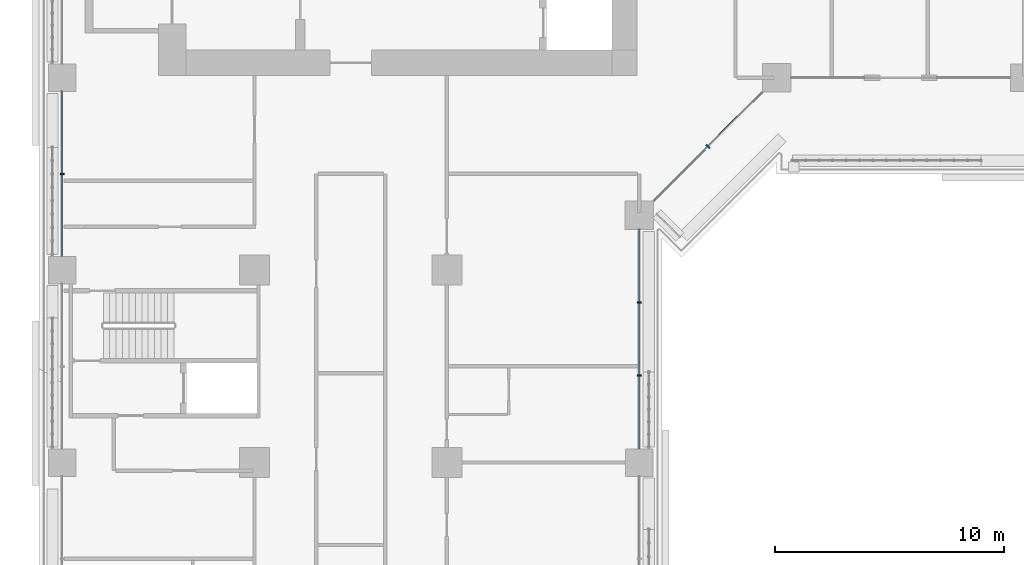
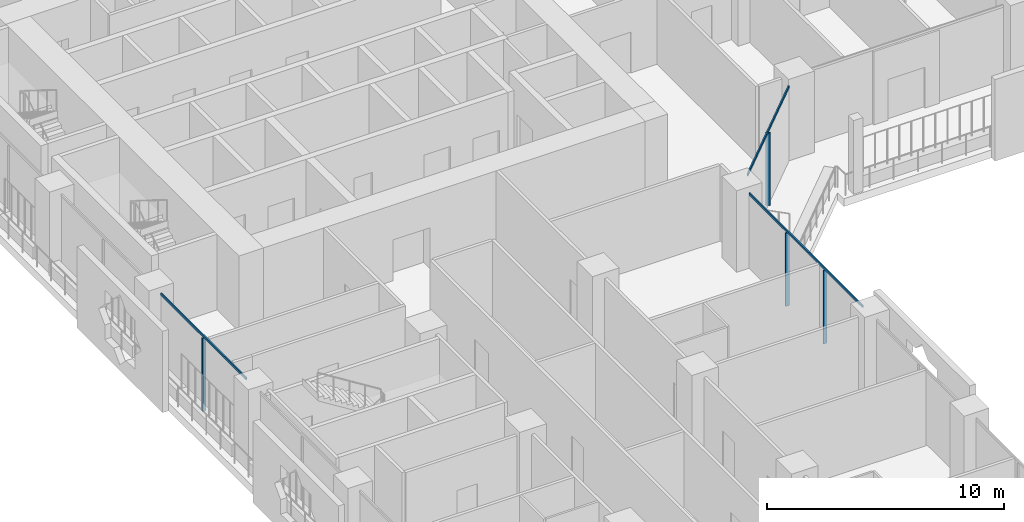
# One storey, part 4 of 28: 7 members, 3 elements without a shape of their own.
"""IFC4 building model written with IfcOpenShell, lengths in metres."""

import ifcopenshell
import ifcopenshell.guid

model = None  # the IFC model being written
_history = None  # IfcOwnerHistory: only IFC2X3 demands one
_inside = {}  # id of a spatial element -> (the spatial element, [elements in it])
_under = {}  # id of a project, library or spatial element -> (it, [spatial elements below it])
_declared = {}  # id of a project -> (the project, [libraries it declares])
_typed = {}  # id of a type object -> (the type object, [elements of that type])
_made_of = {}  # id of a material, layer set ... -> (it, [elements and type objects made of it])


def new_model(schema):
    """Start an empty IFC model of exactly this schema.

    Asked for "IFC4X3", IfcOpenShell would pick the latest addendum, in which some entities
    have other attributes; the version numbers below select the first issue.
    IFC2X3 requires an IfcOwnerHistory on every rooted entity: one is made here for all.
    """
    global model, _history
    if schema == "IFC4X3":
        model = ifcopenshell.file(schema_version=(4, 3, 0, 0))
    else:
        model = ifcopenshell.file(schema=schema)
    _inside.clear()
    _under.clear()
    _declared.clear()
    _typed.clear()
    _made_of.clear()
    _history = None
    if model.schema == "IFC2X3":
        org = make("IfcOrganization", Name="unknown")
        user = make(
            "IfcPersonAndOrganization",
            ThePerson=make("IfcPerson", FamilyName="unknown"),
            TheOrganization=org,
        )
        app = make(
            "IfcApplication",
            ApplicationDeveloper=org,
            Version="unknown",
            ApplicationFullName="unknown",
            ApplicationIdentifier="unknown",
        )
        _history = make(
            "IfcOwnerHistory",
            OwningUser=user,
            OwningApplication=app,
            ChangeAction="ADDED",
            CreationDate=0,
        )
    return model


def make(cls, **values):
    """One entity of the class cls with the attributes given. An attribute that is None is left unset."""
    return model.create_entity(
        cls, **{name: value for name, value in values.items() if value is not None}
    )


def rooted(cls, **values):
    """An entity with a GlobalId (a new one), such as an element, a storey or a relation."""
    return make(cls, GlobalId=ifcopenshell.guid.new(), OwnerHistory=_history, **values)


def si_unit(unit_type, name, prefix=None):
    """IfcSIUnit, for example si_unit("LENGTHUNIT", "METRE", prefix="MILLI")."""
    return make("IfcSIUnit", UnitType=unit_type, Prefix=prefix, Name=name)


def assignment(units):
    """IfcUnitAssignment: the units of a project."""
    return None if units is None else make("IfcUnitAssignment", Units=units)


def point(xyz):
    """IfcCartesianPoint."""
    return None if xyz is None else make("IfcCartesianPoint", Coordinates=xyz)


def direction(xyz):
    """IfcDirection."""
    return None if xyz is None else make("IfcDirection", DirectionRatios=xyz)


def frame(location, z_axis=None, x_axis=None):
    """IfcAxis2Placement3D, a coordinate frame: its origin and axes. An axis left out is left unset."""
    return make(
        "IfcAxis2Placement3D",
        Location=point(location),
        Axis=direction(z_axis),
        RefDirection=direction(x_axis),
    )


def frame_2d(location, x_axis=None):
    """IfcAxis2Placement2D, a coordinate frame in the plane: its origin and x axis."""
    return make(
        "IfcAxis2Placement2D", Location=point(location), RefDirection=direction(x_axis)
    )


def origin():
    """The frame at (0, 0, 0) with its axes left unset."""
    return frame((0.0, 0.0, 0.0))


def origin_2d():
    """The frame at (0, 0) in the plane with its x axis left unset."""
    return frame_2d((0.0, 0.0))


def place(relative_to, where):
    """IfcLocalPlacement: puts the frame where relative to a parent placement (None: the world)."""
    return make(
        "IfcLocalPlacement", PlacementRelTo=relative_to, RelativePlacement=where
    )


def context(
    kind, dimensions, precision=None, world=None, true_north=None, identifier=None
):
    """IfcGeometricRepresentationContext, for example the 3D "Model" context."""
    return make(
        "IfcGeometricRepresentationContext",
        ContextIdentifier=identifier,
        ContextType=kind,
        CoordinateSpaceDimension=dimensions,
        Precision=precision,
        WorldCoordinateSystem=world,
        TrueNorth=true_north,
    )


def subcontext(parent, identifier, kind, view, scale=None):
    """IfcGeometricRepresentationSubContext, for example "Body" below "Model"."""
    return make(
        "IfcGeometricRepresentationSubContext",
        ContextIdentifier=identifier,
        ContextType=kind,
        ParentContext=parent,
        TargetScale=scale,
        TargetView=view,
    )


def project(units=None, contexts=None):
    """IfcProject with its units and contexts."""
    return rooted(
        "IfcProject",
        Name="project",
        RepresentationContexts=contexts,
        UnitsInContext=assignment(units),
    )


def spatial(cls, under=None, at=None, **own):
    """A site, building, storey or space (cls), placed at a placement, below another one or the project."""
    s = rooted(cls, ObjectPlacement=at, **own)
    if under is not None:
        _under.setdefault(under.id(), (under, []))[1].append(s)
    return s


def profile(cls, at=None, kind="AREA", **sizes):
    """A parametric profile (cls). Its sizes go by their IFC names, for example OverallWidth=200.0."""
    return make(cls, ProfileType=kind, Position=at, **sizes)


def rectangle(**sizes):
    """IfcRectangleProfileDef."""
    return profile("IfcRectangleProfileDef", **sizes)


def extrude(swept, where, along, depth):
    """IfcExtrudedAreaSolid: the profile swept, set in the frame where, extruded along a direction by depth."""
    return make(
        "IfcExtrudedAreaSolid",
        SweptArea=swept,
        Position=where,
        ExtrudedDirection=direction(along),
        Depth=depth,
    )


def shape(context_of_items, identifier, shape_type, items):
    """IfcShapeRepresentation: the items that make up one representation, for example the "Body"."""
    return make(
        "IfcShapeRepresentation",
        ContextOfItems=context_of_items,
        RepresentationIdentifier=identifier,
        RepresentationType=shape_type,
        Items=items,
    )


def material(Name=None, Category=None):
    """IfcMaterial."""
    return make("IfcMaterial", Name=Name, Category=Category)


def layer(
    of_material, thickness, ventilated=None, Name=None, Category=None, Priority=None
):
    """IfcMaterialLayer: one layer of a wall or slab, of a material (None: an air gap)."""
    return make(
        "IfcMaterialLayer",
        Material=of_material,
        LayerThickness=thickness,
        IsVentilated=ventilated,
        Name=Name,
        Category=Category,
        Priority=Priority,
    )


def layer_set(layers, Name=None):
    """IfcMaterialLayerSet."""
    return make("IfcMaterialLayerSet", MaterialLayers=layers, LayerSetName=Name)


def material_profile(
    of_material, cross_section, Name=None, Category=None, Priority=None
):
    """IfcMaterialProfile: a cross section and its material."""
    return make(
        "IfcMaterialProfile",
        Name=Name,
        Material=of_material,
        Profile=cross_section,
        Priority=Priority,
        Category=Category,
    )


def profile_set(profiles, Name=None, composite=None):
    """IfcMaterialProfileSet."""
    return make(
        "IfcMaterialProfileSet",
        Name=Name,
        MaterialProfiles=profiles,
        CompositeProfile=composite,
    )


def made_of(thing, what):
    """Note that an element or type object is made of a material, layer set ...; save() writes the relation."""
    if what is not None:
        _made_of.setdefault(what.id(), (what, []))[1].append(thing)
    return thing


def type_object(cls, material=None, **own):
    """A type object (cls), such as IfcWallType, which elements share."""
    return made_of(rooted(cls, **own), material)


def element(
    cls,
    number,
    at=None,
    inside=None,
    cuts=None,
    type_object=None,
    material=None,
    context=None,
    identifier="Body",
    shape_type=None,
    held_by="IfcProductDefinitionShape",
    body=None,
    shapes=None,
    **own,
):
    """One element of the class cls, such as IfcWall. Its Tag is "e" and its number.

    at: its placement. inside: the storey or other place that contains it. cuts: it is an
    opening in that element (IfcRelVoidsElement). A single representation is given by context,
    identifier, shape_type and body (its items); several are given by shapes. held_by: the class
    of the entity that holds the representations. save() writes the other relations.
    """
    e = rooted(cls, Tag="e%d" % number, ObjectPlacement=at, **own)
    if body is not None:
        shapes = [shape(context, identifier, shape_type, body)]
    if shapes is not None:
        e.Representation = make(held_by, Representations=shapes)
    if inside is not None:
        _inside.setdefault(inside.id(), (inside, []))[1].append(e)
    if cuts is not None:
        rooted(
            "IfcRelVoidsElement", RelatingBuildingElement=cuts, RelatedOpeningElement=e
        )
    if type_object is not None:
        _typed.setdefault(type_object.id(), (type_object, []))[1].append(e)
    return made_of(e, material)


def aggregate(whole, parts):
    """IfcRelAggregates: a whole, such as a stair, and the parts it consists of."""
    return rooted("IfcRelAggregates", RelatingObject=whole, RelatedObjects=parts)


def save(model, path):
    """Write the relations noted so far, then the file.

    IfcRelAggregates (storeys below a building ...), IfcRelContainedInSpatialStructure (elements
    in a storey), IfcRelDefinesByType, IfcRelAssociatesMaterial and IfcRelDeclares: one each for
    every whole, place, type object, material and project.
    """
    for whole, parts in _under.values():
        aggregate(whole, parts)
    for where, things in _inside.values():
        rooted(
            "IfcRelContainedInSpatialStructure",
            RelatedElements=things,
            RelatingStructure=where,
        )
    for kind, things in _typed.values():
        rooted("IfcRelDefinesByType", RelatedObjects=things, RelatingType=kind)
    for what, things in _made_of.values():
        rooted("IfcRelAssociatesMaterial", RelatedObjects=things, RelatingMaterial=what)
    for by, libraries in _declared.values():
        rooted("IfcRelDeclares", RelatingContext=by, RelatedDefinitions=libraries)
    model.write(path)


model = new_model("IFC4")

# Units and contexts
model_context = context("Model", 3, precision=1e-05, world=origin(), true_north=direction((0.0, 1.0)))
body_context = subcontext(model_context, "Body", "Model", "MODEL_VIEW")
ifc_project = project(units=[si_unit("LENGTHUNIT", "METRE"), si_unit("AREAUNIT", "SQUARE_METRE"), si_unit("VOLUMEUNIT", "CUBIC_METRE"), si_unit("PLANEANGLEUNIT", "RADIAN"), si_unit("MASSUNIT", "GRAM", prefix="KILO")], contexts=[model_context])

# Site, building, storey
site_placement = place(None, origin())
site = spatial("IfcSite", under=ifc_project, at=site_placement, CompositionType="ELEMENT")
building_placement = place(site_placement, origin())
building = spatial("IfcBuilding", under=site, at=building_placement, Name="Kawkab Arch Medical Tower", CompositionType="ELEMENT")
storey_placement = place(building_placement, frame((0.0, 0.0, 56.0)))
storey = spatial("IfcBuildingStorey", under=building, at=storey_placement, Name="L12", CompositionType="ELEMENT", Elevation=56.0)

# Curtain wall, member
ifc_material_1 = material(Name="Bronze anodised aluminium curtain wall frame", Category="aluminium")
ifc_layer_1 = layer(ifc_material_1, 0.159912109375)
ifc_layer_set_1 = layer_set([ifc_layer_1], Name="Bronze anodised aluminium curtain wall frame")
curtain_wall_type_1 = type_object("IfcCurtainWallType", Name="CW1 ward curtain wall", PredefinedType="NOTDEFINED", material=ifc_layer_set_1)
placement = place(storey_placement, origin())
curtain_wall_1 = element("IfcCurtainWall", 1, at=placement, inside=storey, type_object=curtain_wall_type_1, Name="CW1 Ward curtain wall R01", PredefinedType="NOTDEFINED")
ifc_material_2 = material(Name="Bronze anodised aluminium curtain wall frame", Category="aluminium")
ifc_material_profile_1 = material_profile(ifc_material_2, rectangle(XDim=0.179931640625, YDim=0.06005859375, at=origin_2d()), Name="AL 60x180")
ifc_profile_set_1 = profile_set([ifc_material_profile_1], Name="Bronze anodised aluminium curtain wall frame")
member_type_1 = type_object("IfcMemberType", Name="CW1 mullion 60 x 180", PredefinedType="MULLION", material=ifc_profile_set_1)
member_1_placement = place(storey_placement, frame((0.0, -29.39990234375, 0.0), z_axis=(0.0, 0.0, 1.0), x_axis=(1.0, 0.0, 0.0)))
member_1 = element("IfcMember", 2, at=member_1_placement, type_object=member_type_1, Name="CW1 mullion 3.1", PredefinedType="MULLION", context=body_context, shape_type="SweptSolid", body=[
    extrude(rectangle(XDim=0.179931640625, YDim=0.06005859375, at=origin_2d()), origin(), (0.0, 0.0, 1.0), 3.780029296875),
])

# Curtain wall, members
curtain_wall_2 = element("IfcCurtainWall", 3, at=placement, inside=storey, type_object=curtain_wall_type_1, Name="CW1 Ward curtain wall R05", PredefinedType="NOTDEFINED")
member_2_placement = place(storey_placement, frame((25.199951171875, -38.208251953125, 0.0), z_axis=(0.0, 0.0, 1.0), x_axis=(-1.0, 0.0, 0.0)))
member_2 = element("IfcMember", 4, at=member_2_placement, type_object=member_type_1, Name="CW1 mullion 4.1", PredefinedType="MULLION", context=body_context, shape_type="SweptSolid", body=[
    extrude(rectangle(XDim=0.179931640625, YDim=0.06005859375, at=origin_2d()), origin(), (0.0, 0.0, 1.0), 3.780029296875),
])
member_3_placement = place(storey_placement, frame((25.199951171875, -35.0166015625, 0.0), z_axis=(0.0, 0.0, 1.0), x_axis=(-1.0, 0.0, 0.0)))
member_3 = element("IfcMember", 5, at=member_3_placement, type_object=member_type_1, Name="CW1 mullion 4.2", PredefinedType="MULLION", context=body_context, shape_type="SweptSolid", body=[
    extrude(rectangle(XDim=0.179931640625, YDim=0.06005859375, at=origin_2d()), origin(), (0.0, 0.0, 1.0), 3.780029296875),
])

# Member
ifc_material_3 = material(Name="Bronze anodised aluminium curtain wall frame", Category="aluminium")
ifc_material_profile_2 = material_profile(ifc_material_3, rectangle(XDim=0.06005859375, YDim=0.1201171875, at=origin_2d()), Name="AL 60x120")
ifc_profile_set_2 = profile_set([ifc_material_profile_2], Name="Bronze anodised aluminium curtain wall frame")
member_type_2 = type_object("IfcMemberType", Name="CW1 transom 120 x 60", PredefinedType="USERDEFINED", material=ifc_profile_set_2)
member_4_placement = place(storey_placement, frame((0.0, -25.800048828125, 3.840087890625), z_axis=(0.0, -1.0, 0.0), x_axis=(1.0, 0.0, 0.0)))
member_4 = element("IfcMember", 6, at=member_4_placement, type_object=member_type_2, Name="CW1 transom 3", ObjectType="TRANSOM", PredefinedType="USERDEFINED", context=body_context, shape_type="SweptSolid", body=[
    extrude(rectangle(XDim=0.06005859375, YDim=0.1201171875, at=origin_2d()), origin(), (0.0, 0.0, 1.0), 7.199951171875),
])

aggregate(curtain_wall_1, [member_4, member_1])

member_5_placement = place(storey_placement, frame((25.199951171875, -41.39990234375, 3.840087890625), z_axis=(0.0, 1.0, 0.0), x_axis=(-1.0, 0.0, 0.0)))
member_5 = element("IfcMember", 7, at=member_5_placement, type_object=member_type_2, Name="CW1 transom 4", ObjectType="TRANSOM", PredefinedType="USERDEFINED", context=body_context, shape_type="SweptSolid", body=[
    extrude(rectangle(XDim=0.06005859375, YDim=0.1201171875, at=origin_2d()), origin(), (0.0, 0.0, 1.0), 9.574951171875),
])

aggregate(curtain_wall_2, [member_5, member_2, member_3])

# Curtain wall, members
ifc_material_4 = material(Name="Bronze anodised aluminium curtain wall frame", Category="aluminium")
ifc_layer_2 = layer(ifc_material_4, 0.159912109375)
ifc_layer_set_2 = layer_set([ifc_layer_2], Name="Bronze anodised aluminium curtain wall frame")
curtain_wall_type_2 = type_object("IfcCurtainWallType", Name="CW2 chamfer curtain wall", PredefinedType="NOTDEFINED", material=ifc_layer_set_2)
curtain_wall_3 = element("IfcCurtainWall", 8, at=placement, inside=storey, type_object=curtain_wall_type_2, Name="CW2 Chamfer curtain wall R06", PredefinedType="NOTDEFINED")
ifc_material_5 = material(Name="Bronze anodised aluminium curtain wall frame", Category="aluminium")
ifc_material_profile_3 = material_profile(ifc_material_5, rectangle(XDim=0.199951171875, YDim=0.06005859375, at=origin_2d()), Name="AL 60x200")
ifc_profile_set_3 = profile_set([ifc_material_profile_3], Name="Bronze anodised aluminium curtain wall frame")
member_type_3 = type_object("IfcMemberType", Name="CW2 mullion 60 x 200", PredefinedType="MULLION", material=ifc_profile_set_3)
member_6_placement = place(storey_placement, frame((28.199951171875, -28.199951171875, 0.0), z_axis=(0.0, 0.0, 1.0), x_axis=(-0.707106781187, 0.707106781187, 0.0)))
member_6 = element("IfcMember", 9, at=member_6_placement, type_object=member_type_3, Name="CW2 mullion 1.1", PredefinedType="MULLION", context=body_context, shape_type="SweptSolid", body=[
    extrude(rectangle(XDim=0.199951171875, YDim=0.06005859375, at=origin_2d()), origin(), (0.0, 0.0, 1.0), 3.760009765625),
])
ifc_material_6 = material(Name="Bronze anodised aluminium curtain wall frame", Category="aluminium")
ifc_material_profile_4 = material_profile(ifc_material_6, rectangle(XDim=0.06005859375, YDim=0.139892578125, at=origin_2d()), Name="AL 60x140")
ifc_profile_set_4 = profile_set([ifc_material_profile_4], Name="Bronze anodised aluminium curtain wall frame")
member_type_4 = type_object("IfcMemberType", Name="CW2 transom 140 x 60", PredefinedType="USERDEFINED", material=ifc_profile_set_4)
member_7_placement = place(storey_placement, frame((25.824951171875, -30.574951171875, 3.830078125), z_axis=(0.707106781187, 0.707106781187, 0.0), x_axis=(-0.707106781187, 0.707106781187, 0.0)))
member_7 = element("IfcMember", 10, at=member_7_placement, type_object=member_type_4, Name="CW2 transom 1", ObjectType="TRANSOM", PredefinedType="USERDEFINED", context=body_context, shape_type="SweptSolid", body=[
    extrude(rectangle(XDim=0.06005859375, YDim=0.139892578125, at=origin_2d()), origin(), (0.0, 0.0, 1.0), 6.717529296875),
])
aggregate(curtain_wall_3, [member_7, member_6])

save(model, "model.ifc")
